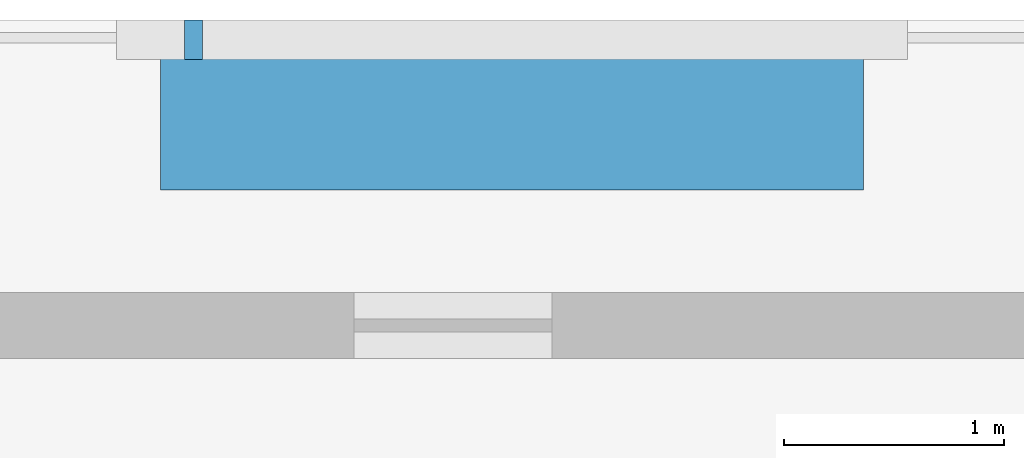
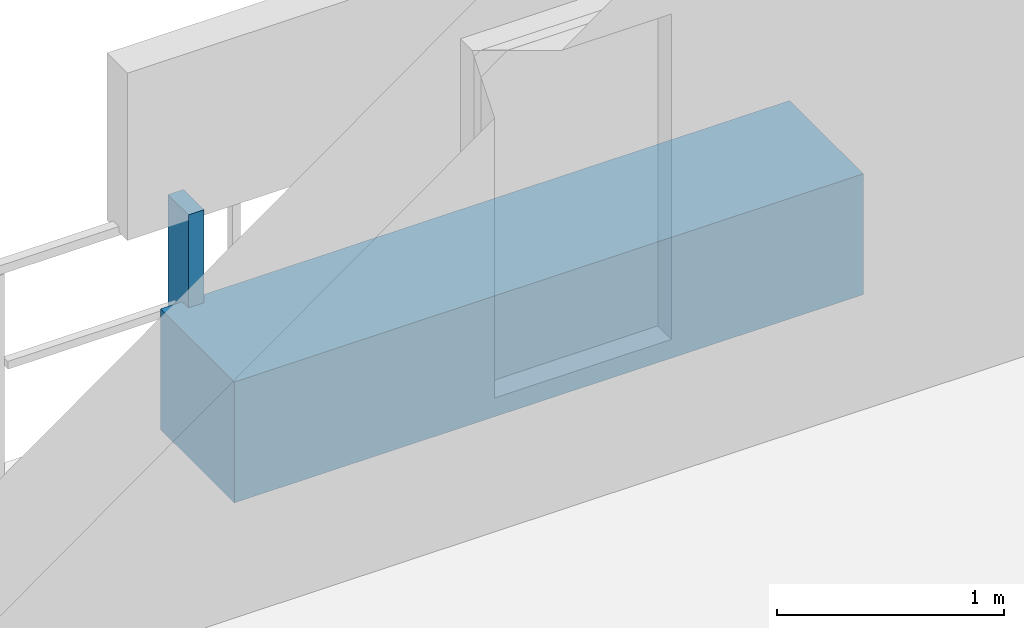
# One storey, part 28 of 33: 2 discrete accessories.
"""IFC4 building model written with IfcOpenShell, lengths in metres."""

import ifcopenshell
import ifcopenshell.guid

model = None  # the IFC model being written
_history = None  # IfcOwnerHistory: only IFC2X3 demands one
_inside = {}  # id of a spatial element -> (the spatial element, [elements in it])
_under = {}  # id of a project, library or spatial element -> (it, [spatial elements below it])
_declared = {}  # id of a project -> (the project, [libraries it declares])
_typed = {}  # id of a type object -> (the type object, [elements of that type])
_made_of = {}  # id of a material, layer set ... -> (it, [elements and type objects made of it])


def new_model(schema):
    """Start an empty IFC model of exactly this schema.

    Asked for "IFC4X3", IfcOpenShell would pick the latest addendum, in which some entities
    have other attributes; the version numbers below select the first issue.
    IFC2X3 requires an IfcOwnerHistory on every rooted entity: one is made here for all.
    """
    global model, _history
    if schema == "IFC4X3":
        model = ifcopenshell.file(schema_version=(4, 3, 0, 0))
    else:
        model = ifcopenshell.file(schema=schema)
    _inside.clear()
    _under.clear()
    _declared.clear()
    _typed.clear()
    _made_of.clear()
    _history = None
    if model.schema == "IFC2X3":
        org = make("IfcOrganization", Name="unknown")
        user = make(
            "IfcPersonAndOrganization",
            ThePerson=make("IfcPerson", FamilyName="unknown"),
            TheOrganization=org,
        )
        app = make(
            "IfcApplication",
            ApplicationDeveloper=org,
            Version="unknown",
            ApplicationFullName="unknown",
            ApplicationIdentifier="unknown",
        )
        _history = make(
            "IfcOwnerHistory",
            OwningUser=user,
            OwningApplication=app,
            ChangeAction="ADDED",
            CreationDate=0,
        )
    return model


def make(cls, **values):
    """One entity of the class cls with the attributes given. An attribute that is None is left unset."""
    return model.create_entity(
        cls, **{name: value for name, value in values.items() if value is not None}
    )


def rooted(cls, **values):
    """An entity with a GlobalId (a new one), such as an element, a storey or a relation."""
    return make(cls, GlobalId=ifcopenshell.guid.new(), OwnerHistory=_history, **values)


def si_unit(unit_type, name, prefix=None):
    """IfcSIUnit, for example si_unit("LENGTHUNIT", "METRE", prefix="MILLI")."""
    return make("IfcSIUnit", UnitType=unit_type, Prefix=prefix, Name=name)


def assignment(units):
    """IfcUnitAssignment: the units of a project."""
    return None if units is None else make("IfcUnitAssignment", Units=units)


def point(xyz):
    """IfcCartesianPoint."""
    return None if xyz is None else make("IfcCartesianPoint", Coordinates=xyz)


def direction(xyz):
    """IfcDirection."""
    return None if xyz is None else make("IfcDirection", DirectionRatios=xyz)


def frame(location, z_axis=None, x_axis=None):
    """IfcAxis2Placement3D, a coordinate frame: its origin and axes. An axis left out is left unset."""
    return make(
        "IfcAxis2Placement3D",
        Location=point(location),
        Axis=direction(z_axis),
        RefDirection=direction(x_axis),
    )


def frame_2d(location, x_axis=None):
    """IfcAxis2Placement2D, a coordinate frame in the plane: its origin and x axis."""
    return make(
        "IfcAxis2Placement2D", Location=point(location), RefDirection=direction(x_axis)
    )


def origin():
    """The frame at (0, 0, 0) with its axes left unset."""
    return frame((0.0, 0.0, 0.0))


def origin_2d():
    """The frame at (0, 0) in the plane with its x axis left unset."""
    return frame_2d((0.0, 0.0))


def place(relative_to, where):
    """IfcLocalPlacement: puts the frame where relative to a parent placement (None: the world)."""
    return make(
        "IfcLocalPlacement", PlacementRelTo=relative_to, RelativePlacement=where
    )


def context(
    kind, dimensions, precision=None, world=None, true_north=None, identifier=None
):
    """IfcGeometricRepresentationContext, for example the 3D "Model" context."""
    return make(
        "IfcGeometricRepresentationContext",
        ContextIdentifier=identifier,
        ContextType=kind,
        CoordinateSpaceDimension=dimensions,
        Precision=precision,
        WorldCoordinateSystem=world,
        TrueNorth=true_north,
    )


def subcontext(parent, identifier, kind, view, scale=None):
    """IfcGeometricRepresentationSubContext, for example "Body" below "Model"."""
    return make(
        "IfcGeometricRepresentationSubContext",
        ContextIdentifier=identifier,
        ContextType=kind,
        ParentContext=parent,
        TargetScale=scale,
        TargetView=view,
    )


def project(units=None, contexts=None):
    """IfcProject with its units and contexts."""
    return rooted(
        "IfcProject",
        Name="project",
        RepresentationContexts=contexts,
        UnitsInContext=assignment(units),
    )


def spatial(cls, under=None, at=None, **own):
    """A site, building, storey or space (cls), placed at a placement, below another one or the project."""
    s = rooted(cls, ObjectPlacement=at, **own)
    if under is not None:
        _under.setdefault(under.id(), (under, []))[1].append(s)
    return s


def profile(cls, at=None, kind="AREA", **sizes):
    """A parametric profile (cls). Its sizes go by their IFC names, for example OverallWidth=200.0."""
    return make(cls, ProfileType=kind, Position=at, **sizes)


def rectangle(**sizes):
    """IfcRectangleProfileDef."""
    return profile("IfcRectangleProfileDef", **sizes)


def extrude(swept, where, along, depth):
    """IfcExtrudedAreaSolid: the profile swept, set in the frame where, extruded along a direction by depth."""
    return make(
        "IfcExtrudedAreaSolid",
        SweptArea=swept,
        Position=where,
        ExtrudedDirection=direction(along),
        Depth=depth,
    )


def shape(context_of_items, identifier, shape_type, items):
    """IfcShapeRepresentation: the items that make up one representation, for example the "Body"."""
    return make(
        "IfcShapeRepresentation",
        ContextOfItems=context_of_items,
        RepresentationIdentifier=identifier,
        RepresentationType=shape_type,
        Items=items,
    )


def material(Name=None, Category=None):
    """IfcMaterial."""
    return make("IfcMaterial", Name=Name, Category=Category)


def made_of(thing, what):
    """Note that an element or type object is made of a material, layer set ...; save() writes the relation."""
    if what is not None:
        _made_of.setdefault(what.id(), (what, []))[1].append(thing)
    return thing


def type_object(cls, material=None, **own):
    """A type object (cls), such as IfcWallType, which elements share."""
    return made_of(rooted(cls, **own), material)


def element(
    cls,
    number,
    at=None,
    inside=None,
    cuts=None,
    type_object=None,
    material=None,
    context=None,
    identifier="Body",
    shape_type=None,
    held_by="IfcProductDefinitionShape",
    body=None,
    shapes=None,
    **own,
):
    """One element of the class cls, such as IfcWall. Its Tag is "e" and its number.

    at: its placement. inside: the storey or other place that contains it. cuts: it is an
    opening in that element (IfcRelVoidsElement). A single representation is given by context,
    identifier, shape_type and body (its items); several are given by shapes. held_by: the class
    of the entity that holds the representations. save() writes the other relations.
    """
    e = rooted(cls, Tag="e%d" % number, ObjectPlacement=at, **own)
    if body is not None:
        shapes = [shape(context, identifier, shape_type, body)]
    if shapes is not None:
        e.Representation = make(held_by, Representations=shapes)
    if inside is not None:
        _inside.setdefault(inside.id(), (inside, []))[1].append(e)
    if cuts is not None:
        rooted(
            "IfcRelVoidsElement", RelatingBuildingElement=cuts, RelatedOpeningElement=e
        )
    if type_object is not None:
        _typed.setdefault(type_object.id(), (type_object, []))[1].append(e)
    return made_of(e, material)


def aggregate(whole, parts):
    """IfcRelAggregates: a whole, such as a stair, and the parts it consists of."""
    return rooted("IfcRelAggregates", RelatingObject=whole, RelatedObjects=parts)


def save(model, path):
    """Write the relations noted so far, then the file.

    IfcRelAggregates (storeys below a building ...), IfcRelContainedInSpatialStructure (elements
    in a storey), IfcRelDefinesByType, IfcRelAssociatesMaterial and IfcRelDeclares: one each for
    every whole, place, type object, material and project.
    """
    for whole, parts in _under.values():
        aggregate(whole, parts)
    for where, things in _inside.values():
        rooted(
            "IfcRelContainedInSpatialStructure",
            RelatedElements=things,
            RelatingStructure=where,
        )
    for kind, things in _typed.values():
        rooted("IfcRelDefinesByType", RelatedObjects=things, RelatingType=kind)
    for what, things in _made_of.values():
        rooted("IfcRelAssociatesMaterial", RelatedObjects=things, RelatingMaterial=what)
    for by, libraries in _declared.values():
        rooted("IfcRelDeclares", RelatingContext=by, RelatedDefinitions=libraries)
    model.write(path)


model = new_model("IFC4")

# Units and contexts
model_context = context("Model", 3, precision=1e-05, world=origin(), true_north=direction((0.0, 1.0)))
body_context = subcontext(model_context, "Body", "Model", "MODEL_VIEW")
ifc_project = project(units=[si_unit("LENGTHUNIT", "METRE"), si_unit("AREAUNIT", "SQUARE_METRE"), si_unit("VOLUMEUNIT", "CUBIC_METRE"), si_unit("PLANEANGLEUNIT", "RADIAN"), si_unit("MASSUNIT", "GRAM", prefix="KILO")], contexts=[model_context])

# Site, building, storey
site_placement = place(None, origin())
site = spatial("IfcSite", under=ifc_project, at=site_placement, CompositionType="ELEMENT")
building_placement = place(site_placement, origin())
building = spatial("IfcBuilding", under=site, at=building_placement, Name="Thornwick Lancets Civic Towers", CompositionType="ELEMENT")
storey_placement = place(building_placement, frame((0.0, 0.0, 189.300048828125)))
storey = spatial("IfcBuildingStorey", under=building, at=storey_placement, Name="L50", CompositionType="ELEMENT", Elevation=189.300048828125)

# Discrete accessories
ifc_material_1 = material(Name="Planted terracotta greenery planter", Category="masonry")
discrete_accessory_type_1 = type_object("IfcDiscreteAccessoryType", Name="ACC_PLANTER_BOX", PredefinedType="USERDEFINED", material=ifc_material_1)
discrete_accessory_1_placement = place(storey_placement, frame((25.5, 51.699951171875, 0.0), z_axis=(0.0, 0.0, 1.0), x_axis=(1.0, 0.0, 0.0)))
element("IfcDiscreteAccessory", 1, at=discrete_accessory_1_placement, inside=storey, type_object=discrete_accessory_type_1, Name="L50 Tower A Balcony Greenery Planter N", ObjectType="PLANTER", PredefinedType="USERDEFINED", context=body_context, shape_type="SweptSolid", body=[
    extrude(rectangle(XDim=3.199951171875, YDim=0.64990234375, at=origin_2d()), origin(), (0.0, 0.0, 1.0), 0.64990234375),
])
ifc_material_2 = material(Name="Stainless steel S355", Category="steel")
discrete_accessory_type_2 = type_object("IfcDiscreteAccessoryType", Name="ACC_SCREEN_BRACKET", PredefinedType="BRACKET", material=ifc_material_2)
discrete_accessory_2_placement = place(storey_placement, frame((24.050048828125, 52.06005859375, 0.0), z_axis=(0.0, 0.0, 1.0), x_axis=(1.0, 0.0, 0.0)))
element("IfcDiscreteAccessory", 2, at=discrete_accessory_2_placement, inside=storey, type_object=discrete_accessory_type_2, Name="L50 Tower A Balcony Screen Stanchion Bracket N-1", PredefinedType="BRACKET", context=body_context, shape_type="SweptSolid", body=[
    extrude(rectangle(XDim=0.080078125, YDim=0.179931640625, at=origin_2d()), origin(), (0.0, 0.0, 1.0), 1.14990234375),
])

save(model, "model.ifc")
